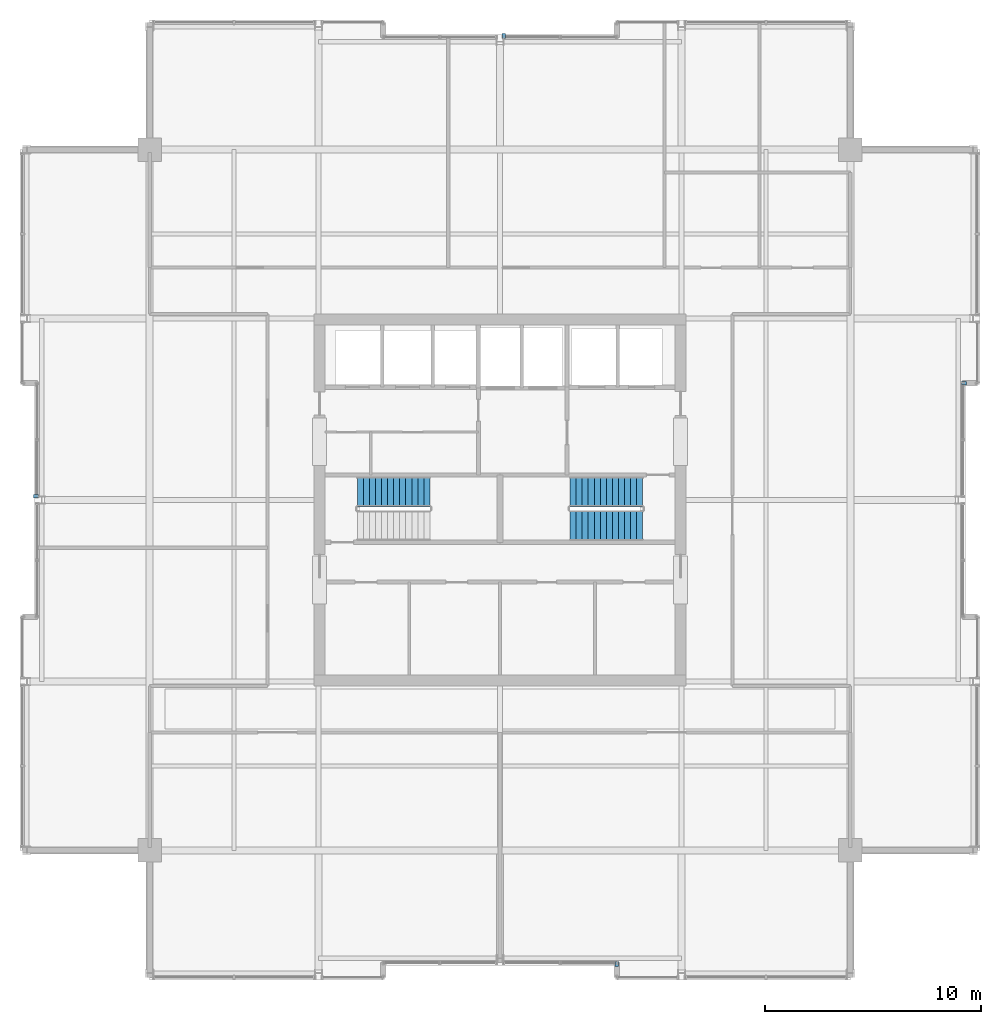
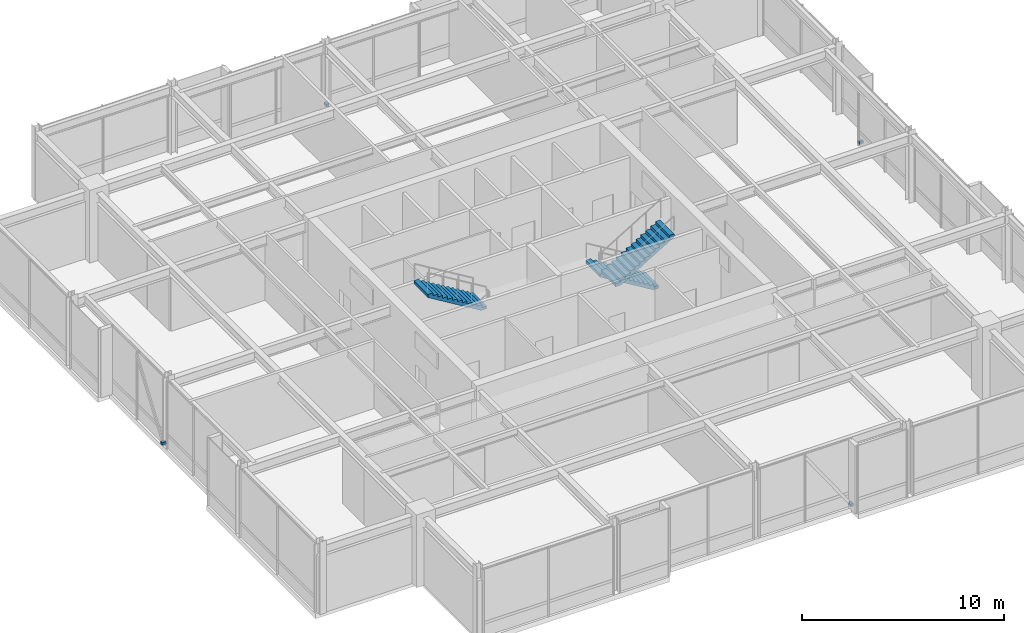
# One storey, part 31 of 34: 4 discrete accessories, 3 stair flights, 2 elements without a shape of their own.
"""IFC4 building model written with IfcOpenShell, lengths in metres."""

from ifc_helpers import new_model, si_unit, direction, frame, origin, origin_2d, place, context, subcontext, project, spatial, polyline, rectangle, outline, extrude, material, type_object, element, aggregate, save


model = new_model("IFC4")

# Units and contexts
model_context = context("Model", 3, precision=1e-05, world=origin(), true_north=direction((0.0, 1.0)))
body_context = subcontext(model_context, "Body", "Model", "MODEL_VIEW")
ifc_project = project(units=[si_unit("LENGTHUNIT", "METRE"), si_unit("AREAUNIT", "SQUARE_METRE"), si_unit("VOLUMEUNIT", "CUBIC_METRE"), si_unit("PLANEANGLEUNIT", "RADIAN"), si_unit("MASSUNIT", "GRAM", prefix="KILO")], contexts=[model_context])

# Site, building, storey
site_placement = place(None, origin())
site = spatial("IfcSite", under=ifc_project, at=site_placement, CompositionType="ELEMENT")
building_placement = place(site_placement, origin())
building = spatial("IfcBuilding", under=site, at=building_placement, Name="Drelvath Grand Hotel", CompositionType="ELEMENT")
storey_placement = place(building_placement, frame((0.0, 0.0, 294.199951171875)))
storey = spatial("IfcBuildingStorey", under=building, at=storey_placement, Name="L77", CompositionType="ELEMENT", Elevation=294.199951171875)

# Stair, stair flight
ifc_material_1 = material(Name="Concrete C40/50", Category="concrete")
stair_type = type_object("IfcStairType", Name="Dogleg Exit Stair W1400-R169.2", PredefinedType="HALF_TURN_STAIR", material=ifc_material_1)
stair_1_placement = place(storey_placement, origin())
stair_1 = element("IfcStair", 1, at=stair_1_placement, inside=storey, type_object=stair_type, Name="L77 Core Exit Stair ST-1", PredefinedType="HALF_TURN_STAIR")
stair_flight_type = type_object("IfcStairFlightType", Name="Concrete Stair Flight W1400-R169.2", PredefinedType="STRAIGHT", material=ifc_material_1)
stair_flight_1_placement = place(storey_placement, frame((-3.239990234375, 27.3798828125, 2.199951171875), z_axis=(0.0, 0.0, 1.0), x_axis=(-1.0, 0.0, 0.0)))
stair_flight_1 = element("IfcStairFlight", 2, at=stair_flight_1_placement, type_object=stair_flight_type, Name="ST-1 flight 2", NumberOfRisers=13, NumberOfTreads=12, PredefinedType="STRAIGHT", RiserHeight=0.169230769, TreadLength=0.28, context=body_context, shape_type="SweptSolid", body=[
    extrude(outline(polyline([(0.0, 0.0), (0.0, 0.169189453125), (0.280029296875, 0.169189453125), (0.280029296875, 0.33837890625), (0.56005859375, 0.33837890625), (0.56005859375, 0.5078125), (0.840087890625, 0.5078125), (0.840087890625, 0.677001953125), (1.1201171875, 0.677001953125), (1.1201171875, 0.84619140625), (1.39990234375, 0.84619140625), (1.39990234375, 1.015380859375), (1.679931640625, 1.015380859375), (1.679931640625, 1.1845703125), (1.9599609375, 1.1845703125), (1.9599609375, 1.353759765625), (2.239990234375, 1.353759765625), (2.239990234375, 1.523193359375), (2.52001953125, 1.523193359375), (2.52001953125, 1.6923828125), (2.800048828125, 1.6923828125), (2.800048828125, 1.861572265625), (3.080078125, 1.861572265625), (3.080078125, 2.03076171875), (3.360107421875, 2.03076171875), (3.360107421875, 2.199951171875), (3.360107421875, 1.843994140625), (0.30908203125, 0.0), (0.0, 0.0)])), frame((0.0, 0.699951171875, 0.0), z_axis=(0.0, -1.0, 0.0), x_axis=(1.0, 0.0, 0.0)), (0.0, 0.0, 1.0), 1.39990234375),
])
aggregate(stair_1, [stair_flight_1])

# Stair, stair flights
stair_2_placement = place(storey_placement, origin())
stair_2 = element("IfcStair", 3, at=stair_2_placement, inside=storey, type_object=stair_type, Name="L77 Core Exit Stair ST-2", PredefinedType="HALF_TURN_STAIR")
stair_flight_2_placement = place(storey_placement, frame((6.60009765625, 27.3798828125, 0.0), z_axis=(0.0, 0.0, 1.0), x_axis=(-1.0, 0.0, 0.0)))
stair_flight_2 = element("IfcStairFlight", 4, at=stair_flight_2_placement, type_object=stair_flight_type, Name="ST-2 flight 1", NumberOfRisers=13, NumberOfTreads=12, PredefinedType="STRAIGHT", RiserHeight=0.169230769, TreadLength=0.28, context=body_context, shape_type="SweptSolid", body=[
    extrude(outline(polyline([(0.0, 0.0), (0.0, 0.169189453125), (0.280029296875, 0.169189453125), (0.280029296875, 0.33837890625), (0.56005859375, 0.33837890625), (0.56005859375, 0.5078125), (0.840087890625, 0.5078125), (0.840087890625, 0.677001953125), (1.1201171875, 0.677001953125), (1.1201171875, 0.84619140625), (1.39990234375, 0.84619140625), (1.39990234375, 1.015380859375), (1.679931640625, 1.015380859375), (1.679931640625, 1.1845703125), (1.9599609375, 1.1845703125), (1.9599609375, 1.353759765625), (2.239990234375, 1.353759765625), (2.239990234375, 1.523193359375), (2.52001953125, 1.523193359375), (2.52001953125, 1.6923828125), (2.800048828125, 1.6923828125), (2.800048828125, 1.861572265625), (3.080078125, 1.861572265625), (3.080078125, 2.03076171875), (3.360107421875, 2.03076171875), (3.360107421875, 2.199951171875), (3.360107421875, 1.843994140625), (0.30908203125, 0.0), (0.0, 0.0)])), frame((0.0, 0.699951171875, 0.0), z_axis=(0.0, -1.0, 0.0), x_axis=(1.0, 0.0, 0.0)), (0.0, 0.0, 1.0), 1.39990234375),
])
stair_flight_3_placement = place(storey_placement, frame((3.239990234375, 25.820068359375, 2.199951171875), z_axis=(0.0, 0.0, 1.0), x_axis=(1.0, 0.0, 0.0)))
stair_flight_3 = element("IfcStairFlight", 5, at=stair_flight_3_placement, type_object=stair_flight_type, Name="ST-2 flight 2", NumberOfRisers=13, NumberOfTreads=12, PredefinedType="STRAIGHT", RiserHeight=0.169230769, TreadLength=0.28, context=body_context, shape_type="SweptSolid", body=[
    extrude(outline(polyline([(0.0, 0.0), (0.0, 0.169189453125), (0.280029296875, 0.169189453125), (0.280029296875, 0.33837890625), (0.56005859375, 0.33837890625), (0.56005859375, 0.5078125), (0.840087890625, 0.5078125), (0.840087890625, 0.677001953125), (1.1201171875, 0.677001953125), (1.1201171875, 0.84619140625), (1.39990234375, 0.84619140625), (1.39990234375, 1.015380859375), (1.679931640625, 1.015380859375), (1.679931640625, 1.1845703125), (1.9599609375, 1.1845703125), (1.9599609375, 1.353759765625), (2.239990234375, 1.353759765625), (2.239990234375, 1.523193359375), (2.52001953125, 1.523193359375), (2.52001953125, 1.6923828125), (2.800048828125, 1.6923828125), (2.800048828125, 1.861572265625), (3.080078125, 1.861572265625), (3.080078125, 2.03076171875), (3.360107421875, 2.03076171875), (3.360107421875, 2.199951171875), (3.360107421875, 1.843994140625), (0.30908203125, 0.0), (0.0, 0.0)])), frame((0.0, 0.699951171875, 0.0), z_axis=(0.0, -1.0, 0.0), x_axis=(1.0, 0.0, 0.0)), (0.0, 0.0, 1.0), 1.39990234375),
])
aggregate(stair_2, [stair_flight_2, stair_flight_3])

# Discrete accessories
ifc_material_2 = material(Name="Stainless Steel Grade 316", Category="steel")
discrete_accessory_type = type_object("IfcDiscreteAccessoryType", Name="Curtain Wall Fin Mounting Bracket Cleat", PredefinedType="BRACKET", material=ifc_material_2)
for number, where, z_axis, x_axis, name in (
    (6, (-21.4599609375, 27.169921875, 0.10009765625), (0.0, 0.0, 1.0), (0.0, 1.0, 0.0), "L77 Fin Mounting Bracket CW05-L77-WM2-1"),
    (7, (21.4599609375, 32.39990234375, 0.10009765625), (0.0, 0.0, 1.0), (0.0, -1.0, 0.0), "L77 Fin Mounting Bracket CW05-L77-EM2-1"),
    (8, (0.170166015625, 48.4599609375, 0.10009765625), (0.0, 0.0, 1.0), (1.0, 0.0, 0.0), "L77 Fin Mounting Bracket CW05-L77-NM2-1"),
    (9, (5.39990234375, 5.5400390625, 0.10009765625), (0.0, 0.0, 1.0), (-1.0, 0.0, 0.0), "L77 Fin Mounting Bracket CW05-L77-SM2-1"),
):
    element("IfcDiscreteAccessory", number, at=place(storey_placement, frame(where, z_axis=z_axis, x_axis=x_axis)), inside=storey, type_object=discrete_accessory_type, Name=name, PredefinedType="BRACKET", context=body_context, shape_type="SweptSolid", body=[
        extrude(rectangle(XDim=0.159912109375, YDim=0.239990234375, at=origin_2d()), origin(), (0.0, 0.0, 1.0), 0.159912109375),
    ])

save(model, "model.ifc")
